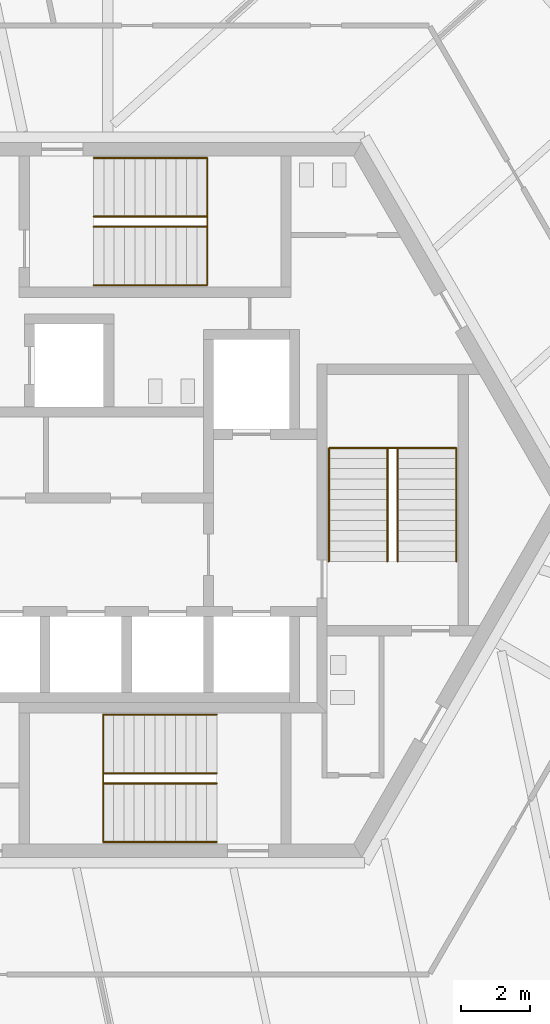
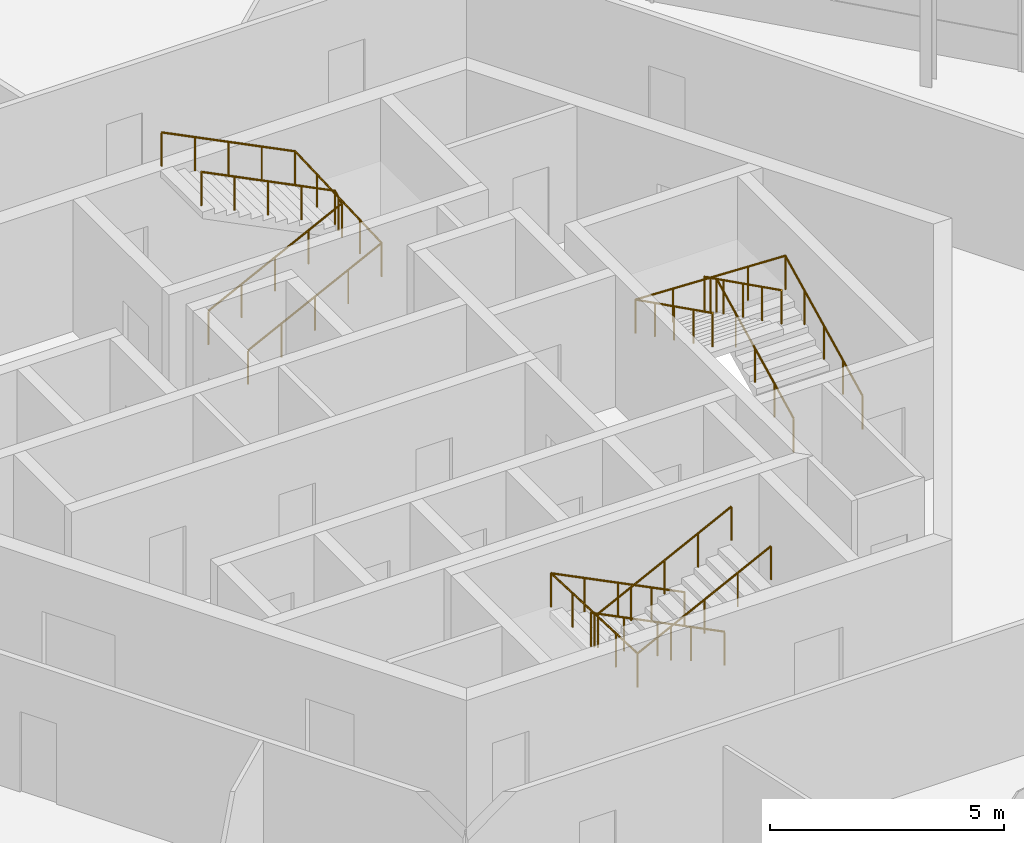
# One storey, part 13 of 14: 6 railings.
"""IFC4 building model written with IfcOpenShell, lengths in metres."""

from ifc_helpers import new_model, si_unit, direction, frame, origin, origin_2d, place, context, subcontext, project, spatial, circle, extrude, source, transform, mapped, material, type_object, element, save


model = new_model("IFC4")

# Units and contexts
model_context = context("Model", 3, precision=1e-05, world=origin(), true_north=direction((0.0, 1.0)))
body_context = subcontext(model_context, "Body", "Model", "MODEL_VIEW")
ifc_project = project(units=[si_unit("LENGTHUNIT", "METRE"), si_unit("AREAUNIT", "SQUARE_METRE"), si_unit("VOLUMEUNIT", "CUBIC_METRE"), si_unit("PLANEANGLEUNIT", "RADIAN"), si_unit("MASSUNIT", "GRAM", prefix="KILO")], contexts=[model_context])

# Site, building, storey
site_placement = place(None, origin())
site = spatial("IfcSite", under=ifc_project, at=site_placement, CompositionType="ELEMENT")
building_placement = place(site_placement, origin())
building = spatial("IfcBuilding", under=site, at=building_placement, Name="Triune Harvest Tower", CompositionType="ELEMENT")
storey_placement = place(building_placement, frame((0.0, 0.0, 263.10009765625)))
storey = spatial("IfcBuildingStorey", under=building, at=storey_placement, Name="L69", CompositionType="ELEMENT", Elevation=263.10009765625)

# Railings
ifc_material = material(Name="Stainless steel AISI 316", Category="steel")
railing_type = type_object("IfcRailingType", Name="Stair handrail", PredefinedType="HANDRAIL", material=ifc_material)
shared_shape_1 = source(origin(), body_context, "Body", "SweptSolid", [
    extrude(circle(Radius=0.02392578125, at=origin_2d()), frame((0.0, 0.0, 0.8759765625), z_axis=(0.894440424912, 0.0, 0.447187126696), x_axis=(0.0, 1.0, 0.0)), (0.0, 0.0, 1.0), 3.689453125),
    extrude(circle(Radius=0.02392578125, at=origin_2d()), frame((3.300048828125, 0.0, 2.52587890625), z_axis=(0.0, 0.999177620331, 0.040547293732), x_axis=(-1.0, 0.0, 0.0)), (0.0, 0.0, 1.0), 3.702880859375),
    extrude(circle(Radius=0.02392578125, at=origin_2d()), frame((3.300048828125, 3.699951171875, 2.67578125), z_axis=(-0.894440424912, 0.0, 0.447187126696), x_axis=(0.0, -1.0, 0.0)), (0.0, 0.0, 1.0), 3.689453125),
    extrude(circle(Radius=0.02099609375, at=origin_2d()), origin(), (0.0, 0.0, 1.0), 0.851806640625),
    extrude(circle(Radius=0.02099609375, at=origin_2d()), frame((0.824951171875, 0.0, 0.41259765625)), (0.0, 0.0, 1.0), 0.851806640625),
    extrude(circle(Radius=0.02099609375, at=origin_2d()), frame((1.64990234375, 0.0, 0.824951171875)), (0.0, 0.0, 1.0), 0.851806640625),
    extrude(circle(Radius=0.02099609375, at=origin_2d()), frame((2.47509765625, 0.0, 1.2373046875)), (0.0, 0.0, 1.0), 0.851806640625),
    extrude(circle(Radius=0.02099609375, at=origin_2d()), frame((3.300048828125, 0.0, 1.64990234375)), (0.0, 0.0, 1.0), 0.851806640625),
    extrude(circle(Radius=0.02099609375, at=origin_2d()), frame((3.300048828125, 0.925048828125, 1.6875)), (0.0, 0.0, 1.0), 0.851806640625),
    extrude(circle(Radius=0.02099609375, at=origin_2d()), frame((3.300048828125, 1.85009765625, 1.72509765625)), (0.0, 0.0, 1.0), 0.851806640625),
    extrude(circle(Radius=0.02099609375, at=origin_2d()), frame((3.300048828125, 2.77490234375, 1.762451171875)), (0.0, 0.0, 1.0), 0.851806640625),
    extrude(circle(Radius=0.02099609375, at=origin_2d()), frame((3.300048828125, 3.699951171875, 1.800048828125)), (0.0, 0.0, 1.0), 0.851806640625),
    extrude(circle(Radius=0.02099609375, at=origin_2d()), frame((2.47509765625, 3.699951171875, 2.21240234375)), (0.0, 0.0, 1.0), 0.851806640625),
    extrude(circle(Radius=0.02099609375, at=origin_2d()), frame((1.64990234375, 3.699951171875, 2.625)), (0.0, 0.0, 1.0), 0.851806640625),
    extrude(circle(Radius=0.02099609375, at=origin_2d()), frame((0.824951171875, 3.699951171875, 3.03759765625)), (0.0, 0.0, 1.0), 0.851806640625),
    extrude(circle(Radius=0.02099609375, at=origin_2d()), frame((0.0, 3.699951171875, 3.449951171875)), (0.0, 0.0, 1.0), 0.851806640625),
])
railing_1_placement = place(storey_placement, frame((-1.7900390625, 6.239990234375, 0.14990234375)))
element("IfcRailing", 1, at=railing_1_placement, inside=storey, type_object=railing_type, Name="Exit stair north wall handrail", PredefinedType="HANDRAIL", context=body_context, shape_type="MappedRepresentation", body=[
    mapped(shared_shape_1, transform((0.0, 0.0, 0.0), scale=1.0)),
])
shared_shape_2 = source(origin(), body_context, "Body", "SweptSolid", [
    extrude(circle(Radius=0.02392578125, at=origin_2d()), frame((0.0, 0.0, 0.8759765625), z_axis=(0.894440424912, 0.0, 0.447187126696), x_axis=(0.0, 1.0, 0.0)), (0.0, 0.0, 1.0), 3.689453125),
    extrude(circle(Radius=0.02392578125, at=origin_2d()), frame((3.300048828125, 0.0, 2.52587890625), z_axis=(0.0, 0.894281613681, 0.447504631744), x_axis=(-1.0, 0.0, 0.0)), (0.0, 0.0, 1.0), 0.33544921875),
    extrude(circle(Radius=0.02392578125, at=origin_2d()), frame((3.300048828125, 0.300048828125, 2.67578125), z_axis=(-0.894440424912, 0.0, 0.447187126696), x_axis=(0.0, -1.0, 0.0)), (0.0, 0.0, 1.0), 3.689453125),
    extrude(circle(Radius=0.02099609375, at=origin_2d()), origin(), (0.0, 0.0, 1.0), 0.851806640625),
    extrude(circle(Radius=0.02099609375, at=origin_2d()), frame((0.824951171875, 0.0, 0.41259765625)), (0.0, 0.0, 1.0), 0.851806640625),
    extrude(circle(Radius=0.02099609375, at=origin_2d()), frame((1.64990234375, 0.0, 0.824951171875)), (0.0, 0.0, 1.0), 0.851806640625),
    extrude(circle(Radius=0.02099609375, at=origin_2d()), frame((2.47509765625, 0.0, 1.2373046875)), (0.0, 0.0, 1.0), 0.851806640625),
    extrude(circle(Radius=0.02099609375, at=origin_2d()), frame((3.300048828125, 0.0, 1.64990234375)), (0.0, 0.0, 1.0), 0.851806640625),
    extrude(circle(Radius=0.02099609375, at=origin_2d()), frame((3.300048828125, 0.300048828125, 1.800048828125)), (0.0, 0.0, 1.0), 0.851806640625),
    extrude(circle(Radius=0.02099609375, at=origin_2d()), frame((2.47509765625, 0.300048828125, 2.21240234375)), (0.0, 0.0, 1.0), 0.851806640625),
    extrude(circle(Radius=0.02099609375, at=origin_2d()), frame((1.64990234375, 0.300048828125, 2.625)), (0.0, 0.0, 1.0), 0.851806640625),
    extrude(circle(Radius=0.02099609375, at=origin_2d()), frame((0.824951171875, 0.300048828125, 3.03759765625)), (0.0, 0.0, 1.0), 0.851806640625),
    extrude(circle(Radius=0.02099609375, at=origin_2d()), frame((0.0, 0.300048828125, 3.449951171875)), (0.0, 0.0, 1.0), 0.851806640625),
])
railing_2_placement = place(storey_placement, frame((-1.7900390625, 7.93994140625, 0.14990234375)))
element("IfcRailing", 2, at=railing_2_placement, inside=storey, type_object=railing_type, Name="Exit stair north centre handrail", PredefinedType="HANDRAIL", context=body_context, shape_type="MappedRepresentation", body=[
    mapped(shared_shape_2, transform((0.0, 0.0, 0.0), scale=1.0)),
])
shared_shape_3 = source(origin(), body_context, "Body", "SweptSolid", [
    extrude(circle(Radius=0.02392578125, at=origin_2d()), frame((0.0, 0.0, 0.8759765625), z_axis=(-0.894440424912, 0.0, 0.447187126696), x_axis=(0.0, -1.0, 0.0)), (0.0, 0.0, 1.0), 3.689453125),
    extrude(circle(Radius=0.02392578125, at=origin_2d()), frame((-3.300048828125, 0.0, 2.52587890625), z_axis=(0.0, -0.999177620331, 0.040547293732), x_axis=(1.0, 0.0, 0.0)), (0.0, 0.0, 1.0), 3.702880859375),
    extrude(circle(Radius=0.02392578125, at=origin_2d()), frame((-3.300048828125, -3.699951171875, 2.67578125), z_axis=(0.894440424912, 0.0, 0.447187126696), x_axis=(0.0, 1.0, 0.0)), (0.0, 0.0, 1.0), 3.689453125),
    extrude(circle(Radius=0.02099609375, at=origin_2d()), origin(), (0.0, 0.0, 1.0), 0.851806640625),
    extrude(circle(Radius=0.02099609375, at=origin_2d()), frame((-0.824951171875, 0.0, 0.41259765625)), (0.0, 0.0, 1.0), 0.851806640625),
    extrude(circle(Radius=0.02099609375, at=origin_2d()), frame((-1.64990234375, 0.0, 0.824951171875)), (0.0, 0.0, 1.0), 0.851806640625),
    extrude(circle(Radius=0.02099609375, at=origin_2d()), frame((-2.47509765625, 0.0, 1.2373046875)), (0.0, 0.0, 1.0), 0.851806640625),
    extrude(circle(Radius=0.02099609375, at=origin_2d()), frame((-3.300048828125, 0.0, 1.64990234375)), (0.0, 0.0, 1.0), 0.851806640625),
    extrude(circle(Radius=0.02099609375, at=origin_2d()), frame((-3.300048828125, -0.925048828125, 1.6875)), (0.0, 0.0, 1.0), 0.851806640625),
    extrude(circle(Radius=0.02099609375, at=origin_2d()), frame((-3.300048828125, -1.85009765625, 1.72509765625)), (0.0, 0.0, 1.0), 0.851806640625),
    extrude(circle(Radius=0.02099609375, at=origin_2d()), frame((-3.300048828125, -2.77490234375, 1.762451171875)), (0.0, 0.0, 1.0), 0.851806640625),
    extrude(circle(Radius=0.02099609375, at=origin_2d()), frame((-3.300048828125, -3.699951171875, 1.800048828125)), (0.0, 0.0, 1.0), 0.851806640625),
    extrude(circle(Radius=0.02099609375, at=origin_2d()), frame((-2.47509765625, -3.699951171875, 2.21240234375)), (0.0, 0.0, 1.0), 0.851806640625),
    extrude(circle(Radius=0.02099609375, at=origin_2d()), frame((-1.64990234375, -3.699951171875, 2.625)), (0.0, 0.0, 1.0), 0.851806640625),
    extrude(circle(Radius=0.02099609375, at=origin_2d()), frame((-0.824951171875, -3.699951171875, 3.03759765625)), (0.0, 0.0, 1.0), 0.851806640625),
    extrude(circle(Radius=0.02099609375, at=origin_2d()), frame((0.0, -3.699951171875, 3.449951171875)), (0.0, 0.0, 1.0), 0.851806640625),
])
railing_3_placement = place(storey_placement, frame((1.7900390625, -6.239990234375, 0.14990234375)))
element("IfcRailing", 3, at=railing_3_placement, inside=storey, type_object=railing_type, Name="Exit stair south wall handrail", PredefinedType="HANDRAIL", context=body_context, shape_type="MappedRepresentation", body=[
    mapped(shared_shape_3, transform((0.0, 0.0, 0.0), scale=1.0)),
])
shared_shape_4 = source(origin(), body_context, "Body", "SweptSolid", [
    extrude(circle(Radius=0.02392578125, at=origin_2d()), frame((0.0, 0.0, 0.8759765625), z_axis=(-0.894440424912, 0.0, 0.447187126696), x_axis=(0.0, -1.0, 0.0)), (0.0, 0.0, 1.0), 3.689453125),
    extrude(circle(Radius=0.02392578125, at=origin_2d()), frame((-3.300048828125, 0.0, 2.52587890625), z_axis=(0.0, -0.894281613681, 0.447504631744), x_axis=(1.0, 0.0, 0.0)), (0.0, 0.0, 1.0), 0.33544921875),
    extrude(circle(Radius=0.02392578125, at=origin_2d()), frame((-3.300048828125, -0.300048828125, 2.67578125), z_axis=(0.894440424912, 0.0, 0.447187126696), x_axis=(0.0, 1.0, 0.0)), (0.0, 0.0, 1.0), 3.689453125),
    extrude(circle(Radius=0.02099609375, at=origin_2d()), origin(), (0.0, 0.0, 1.0), 0.851806640625),
    extrude(circle(Radius=0.02099609375, at=origin_2d()), frame((-0.824951171875, 0.0, 0.41259765625)), (0.0, 0.0, 1.0), 0.851806640625),
    extrude(circle(Radius=0.02099609375, at=origin_2d()), frame((-1.64990234375, 0.0, 0.824951171875)), (0.0, 0.0, 1.0), 0.851806640625),
    extrude(circle(Radius=0.02099609375, at=origin_2d()), frame((-2.47509765625, 0.0, 1.2373046875)), (0.0, 0.0, 1.0), 0.851806640625),
    extrude(circle(Radius=0.02099609375, at=origin_2d()), frame((-3.300048828125, 0.0, 1.64990234375)), (0.0, 0.0, 1.0), 0.851806640625),
    extrude(circle(Radius=0.02099609375, at=origin_2d()), frame((-3.300048828125, -0.300048828125, 1.800048828125)), (0.0, 0.0, 1.0), 0.851806640625),
    extrude(circle(Radius=0.02099609375, at=origin_2d()), frame((-2.47509765625, -0.300048828125, 2.21240234375)), (0.0, 0.0, 1.0), 0.851806640625),
    extrude(circle(Radius=0.02099609375, at=origin_2d()), frame((-1.64990234375, -0.300048828125, 2.625)), (0.0, 0.0, 1.0), 0.851806640625),
    extrude(circle(Radius=0.02099609375, at=origin_2d()), frame((-0.824951171875, -0.300048828125, 3.03759765625)), (0.0, 0.0, 1.0), 0.851806640625),
    extrude(circle(Radius=0.02099609375, at=origin_2d()), frame((0.0, -0.300048828125, 3.449951171875)), (0.0, 0.0, 1.0), 0.851806640625),
])
railing_4_placement = place(storey_placement, frame((1.7900390625, -7.93994140625, 0.14990234375)))
element("IfcRailing", 4, at=railing_4_placement, inside=storey, type_object=railing_type, Name="Exit stair south centre handrail", PredefinedType="HANDRAIL", context=body_context, shape_type="MappedRepresentation", body=[
    mapped(shared_shape_4, transform((0.0, 0.0, 0.0), scale=1.0)),
])
shared_shape_5 = source(origin(), body_context, "Body", "SweptSolid", [
    extrude(circle(Radius=0.02392578125, at=origin_2d()), frame((0.0, 0.0, 0.8759765625), z_axis=(0.0, 0.894440424912, 0.447187126696), x_axis=(-1.0, 0.0, 0.0)), (0.0, 0.0, 1.0), 3.689453125),
    extrude(circle(Radius=0.02392578125, at=origin_2d()), frame((0.0, 3.300048828125, 2.52587890625), z_axis=(-0.999177620331, 0.0, 0.040547293732), x_axis=(0.0, -1.0, 0.0)), (0.0, 0.0, 1.0), 3.702880859375),
    extrude(circle(Radius=0.02392578125, at=origin_2d()), frame((-3.699951171875, 3.300048828125, 2.67578125), z_axis=(0.0, -0.894440424912, 0.447187126696), x_axis=(1.0, 0.0, 0.0)), (0.0, 0.0, 1.0), 3.689453125),
    extrude(circle(Radius=0.02099609375, at=origin_2d()), origin(), (0.0, 0.0, 1.0), 0.851806640625),
    extrude(circle(Radius=0.02099609375, at=origin_2d()), frame((0.0, 0.824951171875, 0.41259765625)), (0.0, 0.0, 1.0), 0.851806640625),
    extrude(circle(Radius=0.02099609375, at=origin_2d()), frame((0.0, 1.64990234375, 0.824951171875)), (0.0, 0.0, 1.0), 0.851806640625),
    extrude(circle(Radius=0.02099609375, at=origin_2d()), frame((0.0, 2.47509765625, 1.2373046875)), (0.0, 0.0, 1.0), 0.851806640625),
    extrude(circle(Radius=0.02099609375, at=origin_2d()), frame((0.0, 3.300048828125, 1.64990234375)), (0.0, 0.0, 1.0), 0.851806640625),
    extrude(circle(Radius=0.02099609375, at=origin_2d()), frame((-0.925048828125, 3.300048828125, 1.6875)), (0.0, 0.0, 1.0), 0.851806640625),
    extrude(circle(Radius=0.02099609375, at=origin_2d()), frame((-1.85009765625, 3.300048828125, 1.72509765625)), (0.0, 0.0, 1.0), 0.851806640625),
    extrude(circle(Radius=0.02099609375, at=origin_2d()), frame((-2.77490234375, 3.300048828125, 1.762451171875)), (0.0, 0.0, 1.0), 0.851806640625),
    extrude(circle(Radius=0.02099609375, at=origin_2d()), frame((-3.699951171875, 3.300048828125, 1.800048828125)), (0.0, 0.0, 1.0), 0.851806640625),
    extrude(circle(Radius=0.02099609375, at=origin_2d()), frame((-3.699951171875, 2.47509765625, 2.21240234375)), (0.0, 0.0, 1.0), 0.851806640625),
    extrude(circle(Radius=0.02099609375, at=origin_2d()), frame((-3.699951171875, 1.64990234375, 2.625)), (0.0, 0.0, 1.0), 0.851806640625),
    extrude(circle(Radius=0.02099609375, at=origin_2d()), frame((-3.699951171875, 0.824951171875, 3.03759765625)), (0.0, 0.0, 1.0), 0.851806640625),
    extrude(circle(Radius=0.02099609375, at=origin_2d()), frame((-3.699951171875, 0.0, 3.449951171875)), (0.0, 0.0, 1.0), 0.851806640625),
])
railing_5_placement = place(storey_placement, frame((8.75, -1.7900390625, 0.14990234375)))
element("IfcRailing", 5, at=railing_5_placement, inside=storey, type_object=railing_type, Name="Exit stair east wall handrail", PredefinedType="HANDRAIL", context=body_context, shape_type="MappedRepresentation", body=[
    mapped(shared_shape_5, transform((0.0, 0.0, 0.0), scale=1.0)),
])
shared_shape_6 = source(origin(), body_context, "Body", "SweptSolid", [
    extrude(circle(Radius=0.02392578125, at=origin_2d()), frame((0.0, 0.0, 0.8759765625), z_axis=(0.0, 0.894440424912, 0.447187126696), x_axis=(-1.0, 0.0, 0.0)), (0.0, 0.0, 1.0), 3.689453125),
    extrude(circle(Radius=0.02392578125, at=origin_2d()), frame((0.0, 3.300048828125, 2.52587890625), z_axis=(-0.894281613681, 0.0, 0.447504631744), x_axis=(0.0, -1.0, 0.0)), (0.0, 0.0, 1.0), 0.33544921875),
    extrude(circle(Radius=0.02392578125, at=origin_2d()), frame((-0.300048828125, 3.300048828125, 2.67578125), z_axis=(0.0, -0.894440424912, 0.447187126696), x_axis=(1.0, 0.0, 0.0)), (0.0, 0.0, 1.0), 3.689453125),
    extrude(circle(Radius=0.02099609375, at=origin_2d()), origin(), (0.0, 0.0, 1.0), 0.851806640625),
    extrude(circle(Radius=0.02099609375, at=origin_2d()), frame((0.0, 0.824951171875, 0.41259765625)), (0.0, 0.0, 1.0), 0.851806640625),
    extrude(circle(Radius=0.02099609375, at=origin_2d()), frame((0.0, 1.64990234375, 0.824951171875)), (0.0, 0.0, 1.0), 0.851806640625),
    extrude(circle(Radius=0.02099609375, at=origin_2d()), frame((0.0, 2.47509765625, 1.2373046875)), (0.0, 0.0, 1.0), 0.851806640625),
    extrude(circle(Radius=0.02099609375, at=origin_2d()), frame((0.0, 3.300048828125, 1.64990234375)), (0.0, 0.0, 1.0), 0.851806640625),
    extrude(circle(Radius=0.02099609375, at=origin_2d()), frame((-0.300048828125, 3.300048828125, 1.800048828125)), (0.0, 0.0, 1.0), 0.851806640625),
    extrude(circle(Radius=0.02099609375, at=origin_2d()), frame((-0.300048828125, 2.47509765625, 2.21240234375)), (0.0, 0.0, 1.0), 0.851806640625),
    extrude(circle(Radius=0.02099609375, at=origin_2d()), frame((-0.300048828125, 1.64990234375, 2.625)), (0.0, 0.0, 1.0), 0.851806640625),
    extrude(circle(Radius=0.02099609375, at=origin_2d()), frame((-0.300048828125, 0.824951171875, 3.03759765625)), (0.0, 0.0, 1.0), 0.851806640625),
    extrude(circle(Radius=0.02099609375, at=origin_2d()), frame((-0.300048828125, 0.0, 3.449951171875)), (0.0, 0.0, 1.0), 0.851806640625),
])
railing_6_placement = place(storey_placement, frame((7.050048828125, -1.7900390625, 0.14990234375)))
element("IfcRailing", 6, at=railing_6_placement, inside=storey, type_object=railing_type, Name="Exit stair east centre handrail", PredefinedType="HANDRAIL", context=body_context, shape_type="MappedRepresentation", body=[
    mapped(shared_shape_6, transform((0.0, 0.0, 0.0), scale=1.0)),
])

save(model, "model.ifc")
